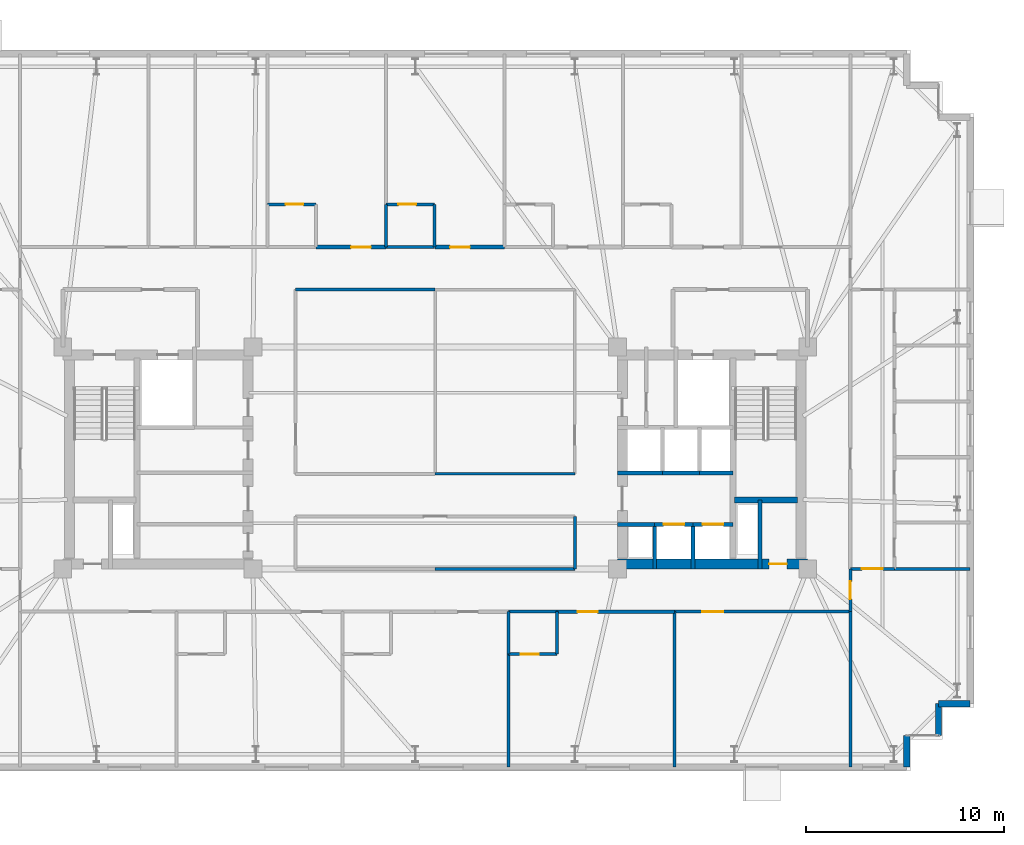
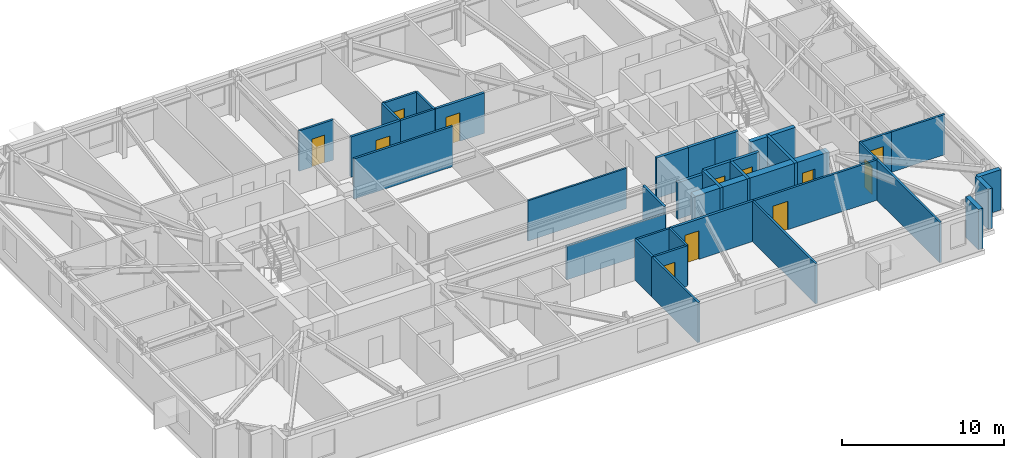
# One storey, part 13 of 18: 37 walls, 12 doors, 12 openings.
"""IFC4 building model written with IfcOpenShell, lengths in metres."""

from ifc_helpers import new_model, si_unit, direction, frame, frame_2d, origin, place, context, subcontext, project, spatial, rectangle, extrude, material, layer, layer_set, type_object, element, fill, save


model = new_model("IFC4")

# Units and contexts
model_context = context("Model", 3, precision=1e-05, world=origin(), true_north=direction((0.0, 1.0)))
body_context = subcontext(model_context, "Body", "Model", "MODEL_VIEW")
ifc_project = project(units=[si_unit("LENGTHUNIT", "METRE"), si_unit("AREAUNIT", "SQUARE_METRE"), si_unit("VOLUMEUNIT", "CUBIC_METRE"), si_unit("PLANEANGLEUNIT", "RADIAN"), si_unit("MASSUNIT", "GRAM", prefix="KILO")], contexts=[model_context])

# Site, building, storey
site_placement = place(None, origin())
site = spatial("IfcSite", under=ifc_project, at=site_placement, CompositionType="ELEMENT")
building_placement = place(site_placement, origin())
building = spatial("IfcBuilding", under=site, at=building_placement, Name="Qobustan Lattice House", CompositionType="ELEMENT")
storey_placement = place(building_placement, frame((0.0, 0.0, 141.050048828125)))
storey = spatial("IfcBuildingStorey", under=building, at=storey_placement, Name="L39", CompositionType="ELEMENT", Elevation=141.050048828125)

# Wall, opening, door
ifc_material_1 = material(Name="Concrete C50/60", Category="concrete")
ifc_layer_1 = layer(ifc_material_1, 0.5)
ifc_layer_set_1 = layer_set([ifc_layer_1], Name="Concrete C50/60")
wall_type_1 = type_object("IfcWallType", Name="WAL-CORE-500", PredefinedType="SHEAR", material=ifc_layer_set_1)
wall_1_placement = place(storey_placement, frame((9.199951171875, -5.35009765625, 0.0), z_axis=(0.0, 0.0, 1.0), x_axis=(1.0, 0.0, 0.0)))
wall_1 = element("IfcWall", 1, at=wall_1_placement, inside=storey, type_object=wall_type_1, Name="L39 split-core shear wall CE-S", PredefinedType="SHEAR", context=body_context, shape_type="SweptSolid", body=[
    extrude(rectangle(XDim=9.60009765625, YDim=0.5, at=frame_2d((4.800048828125, 0.0))), origin(), (0.0, 0.0, 1.0), 3.0400390625),
])
opening_1_placement = place(wall_1_placement, frame((7.64990234375, 0.0, 0.0)))
opening_1 = element("IfcOpeningElement", 2, at=opening_1_placement, cuts=wall_1, Name="Opening RD-01", PredefinedType="OPENING", context=body_context, shape_type="SweptSolid", body=[
    extrude(rectangle(XDim=0.89990234375, YDim=2.10009765625, at=frame_2d((0.449951171875, 1.050048828125))), frame((0.0, 0.260009765625, 0.0), z_axis=(0.0, -1.0, 0.0), x_axis=(1.0, 0.0, 0.0)), (0.0, 0.0, 1.0), 0.52001953125),
])
ifc_material_2 = material(Name="Persian walnut timber and steel frame door", Category="steel")
door_type_1 = type_object("IfcDoorType", Name="DOR-RISER-FD-900x2100", OperationType="NOTDEFINED", PredefinedType="DOOR", material=ifc_material_2)
door_1_placement = place(opening_1_placement, origin())
door_1 = element("IfcDoor", 3, at=door_1_placement, inside=storey, type_object=door_type_1, Name="L39 core service riser access door E", OperationType="SINGLE_SWING_LEFT", OverallHeight=2.10009765625, OverallWidth=0.89990234375, PredefinedType="DOOR", context=body_context, shape_type="SweptSolid", body=[
    extrude(rectangle(XDim=0.89990234375, YDim=2.10009765625, at=frame_2d((0.449951171875, 1.050048828125))), frame((0.0, 0.02490234375, 0.0), z_axis=(0.0, -1.0, 0.0), x_axis=(1.0, 0.0, 0.0)), (0.0, 0.0, 1.0), 0.050048828125),
])
fill(opening_1, door_1)

# Walls
ifc_material_3 = material(Name="Concrete C50/60", Category="concrete")
ifc_layer_2 = layer(ifc_material_3, 0.280029296875)
ifc_layer_set_2 = layer_set([ifc_layer_2], Name="Concrete C50/60")
wall_type_2 = type_object("IfcWallType", Name="WAL-CORE-SPINE-280", PredefinedType="SHEAR", material=ifc_layer_set_2)
wall_2_placement = place(storey_placement, frame((15.10009765625, -2.110107421875, 0.0), z_axis=(0.0, 0.0, 1.0), x_axis=(1.0, 0.0, 0.0)))
element("IfcWall", 4, at=wall_2_placement, inside=storey, type_object=wall_type_2, Name="L39 split-core shear wall CE-ST", PredefinedType="SHEAR", context=body_context, shape_type="SweptSolid", body=[
    extrude(rectangle(XDim=3.179931640625, YDim=0.300048828125, at=frame_2d((1.58984375, 0.0))), origin(), (0.0, 0.0, 1.0), 3.0400390625),
])
ifc_material_4 = material(Name="Precast concrete C40/50", Category="concrete")
ifc_layer_3 = layer(ifc_material_4, 0.320068359375)
ifc_layer_set_3 = layer_set([ifc_layer_3], Name="Precast concrete C40/50")
wall_type_3 = type_object("IfcWallType", Name="WAL-EXT-STONE-320", PredefinedType="SOLIDWALL", material=ifc_layer_set_3)
for number, where, z_axis, x_axis, name in (
    (5, (27.0, -12.39990234375, 0.0), (0.0, 0.0, 1.0), (-1.0, 0.0, 0.0), "L39 exterior limestone-clad wall 16"),
    (6, (25.39990234375, -12.39990234375, 0.0), (0.0, 0.0, 1.0), (0.0, -1.0, 0.0), "L39 exterior limestone-clad wall 17"),
    (7, (23.800048828125, -14.0, 0.0), (0.0, 0.0, 1.0), (0.0, -1.0, 0.0), "L39 exterior limestone-clad wall 19"),
):
    element("IfcWall", number, at=place(storey_placement, frame(where, z_axis=z_axis, x_axis=x_axis)), inside=storey, type_object=wall_type_3, Name=name, PredefinedType="SOLIDWALL", context=body_context, shape_type="SweptSolid", body=[
        extrude(rectangle(XDim=1.60009765625, YDim=0.320068359375, at=frame_2d((0.800048828125, 0.0))), origin(), (0.0, 0.0, 1.0), 3.0400390625),
    ])

# Wall, opening, door
ifc_material_5 = material(Name="Gypsum fireboard acoustic partition", Category="gypsum")
ifc_layer_4 = layer(ifc_material_5, 0.179931640625)
ifc_layer_set_4 = layer_set([ifc_layer_4], Name="Gypsum fireboard acoustic partition")
wall_type_4 = type_object("IfcWallType", Name="WAL-FIRE-180", PredefinedType="PARTITIONING", material=ifc_layer_set_4)
wall_3_placement = place(storey_placement, frame((-6.029052734375, 10.64990234375, 0.0), z_axis=(0.0, 0.0, 1.0), x_axis=(1.0, 0.0, 0.0)))
wall_3 = element("IfcWall", 8, at=wall_3_placement, inside=storey, type_object=wall_type_4, Name="L39 interior partition 35", PredefinedType="PARTITIONING", context=body_context, shape_type="SweptSolid", body=[
    extrude(rectangle(XDim=3.5361328125, YDim=0.179931640625, at=frame_2d((1.76806640625, 0.0))), origin(), (0.0, 0.0, 1.0), 3.0400390625),
])
opening_2_placement = place(wall_3_placement, frame((1.783935546875, 0.0, 0.0)))
opening_2 = element("IfcOpeningElement", 9, at=opening_2_placement, cuts=wall_3, Name="Opening FD-02", PredefinedType="OPENING", context=body_context, shape_type="SweptSolid", body=[
    extrude(rectangle(XDim=1.0, YDim=2.14990234375, at=frame_2d((0.5, 1.074951171875))), frame((0.0, 0.099853515625, 0.0), z_axis=(0.0, -1.0, 0.0), x_axis=(1.0, 0.0, 0.0)), (0.0, 0.0, 1.0), 0.199951171875),
])
ifc_material_6 = material(Name="Persian walnut timber and steel frame door", Category="steel")
door_type_2 = type_object("IfcDoorType", Name="DOR-UNIT-FD-1000x2150", OperationType="NOTDEFINED", PredefinedType="DOOR", material=ifc_material_6)
door_2_placement = place(opening_2_placement, origin())
door_2 = element("IfcDoor", 10, at=door_2_placement, inside=storey, type_object=door_type_2, Name="L39 North-west floor corridor to Kitchenette and studio apartment L39-N3 door", OperationType="SINGLE_SWING_LEFT", OverallHeight=2.14990234375, OverallWidth=1.0, PredefinedType="DOOR", context=body_context, shape_type="SweptSolid", body=[
    extrude(rectangle(XDim=1.0, YDim=2.14990234375, at=frame_2d((0.5, 1.074951171875))), frame((0.0, 0.02490234375, 0.0), z_axis=(0.0, -1.0, 0.0), x_axis=(1.0, 0.0, 0.0)), (0.0, 0.0, 1.0), 0.050048828125),
])
fill(opening_2, door_2)

wall_4_placement = place(storey_placement, frame((0.0, 10.64990234375, 0.0), z_axis=(0.0, 0.0, 1.0), x_axis=(1.0, 0.0, 0.0)))
wall_4 = element("IfcWall", 11, at=wall_4_placement, inside=storey, type_object=wall_type_4, Name="L39 interior partition 40", PredefinedType="PARTITIONING", context=body_context, shape_type="SweptSolid", body=[
    extrude(rectangle(XDim=3.492919921875, YDim=0.179931640625, at=frame_2d((1.74658203125, 0.0))), origin(), (0.0, 0.0, 1.0), 3.0400390625),
])
opening_3_placement = place(wall_4_placement, frame((0.74658203125, 0.0, 0.0)))
opening_3 = element("IfcOpeningElement", 12, at=opening_3_placement, cuts=wall_4, Name="Opening FD-02", PredefinedType="OPENING", context=body_context, shape_type="SweptSolid", body=[
    extrude(rectangle(XDim=1.0, YDim=2.14990234375, at=frame_2d((0.5, 1.074951171875))), frame((0.0, 0.099853515625, 0.0), z_axis=(0.0, -1.0, 0.0), x_axis=(1.0, 0.0, 0.0)), (0.0, 0.0, 1.0), 0.199951171875),
])
door_3_placement = place(opening_3_placement, origin())
door_3 = element("IfcDoor", 13, at=door_3_placement, inside=storey, type_object=door_type_2, Name="L39 North-east floor corridor to Kitchenette and studio apartment L39-N4 door", OperationType="SINGLE_SWING_LEFT", OverallHeight=2.14990234375, OverallWidth=1.0, PredefinedType="DOOR", context=body_context, shape_type="SweptSolid", body=[
    extrude(rectangle(XDim=1.0, YDim=2.14990234375, at=frame_2d((0.5, 1.074951171875))), frame((0.0, 0.02490234375, 0.0), z_axis=(0.0, -1.0, 0.0), x_axis=(1.0, 0.0, 0.0)), (0.0, 0.0, 1.0), 0.050048828125),
])
fill(opening_3, door_3)

wall_5_placement = place(storey_placement, frame((12.070068359375, -7.75, 0.0), z_axis=(0.0, 0.0, 1.0), x_axis=(-1.0, 0.0, 0.0)))
wall_5 = element("IfcWall", 14, at=wall_5_placement, inside=storey, type_object=wall_type_4, Name="L39 interior partition 56", PredefinedType="PARTITIONING", context=body_context, shape_type="SweptSolid", body=[
    extrude(rectangle(XDim=5.93017578125, YDim=0.179931640625, at=frame_2d((2.965087890625, 0.0))), origin(), (0.0, 0.0, 1.0), 3.0400390625),
])
opening_4_placement = place(wall_5_placement, frame((3.87890625, 0.0, 0.0)))
opening_4 = element("IfcOpeningElement", 15, at=opening_4_placement, cuts=wall_5, Name="Opening FD-02", PredefinedType="OPENING", context=body_context, shape_type="SweptSolid", body=[
    extrude(rectangle(XDim=1.0, YDim=2.14990234375, at=frame_2d((0.5, 1.074951171875))), frame((0.0, 0.099853515625, 0.0), z_axis=(0.0, -1.0, 0.0), x_axis=(1.0, 0.0, 0.0)), (0.0, 0.0, 1.0), 0.199951171875),
])
door_4_placement = place(opening_4_placement, origin())
door_4 = element("IfcDoor", 16, at=door_4_placement, inside=storey, type_object=door_type_2, Name="L39 South-east floor corridor to Kitchenette and studio apartment L39-S4 door", OperationType="SINGLE_SWING_RIGHT", OverallHeight=2.14990234375, OverallWidth=1.0, PredefinedType="DOOR", context=body_context, shape_type="SweptSolid", body=[
    extrude(rectangle(XDim=1.0, YDim=2.14990234375, at=frame_2d((0.5, 1.074951171875))), frame((0.0, 0.02490234375, 0.0), z_axis=(0.0, -1.0, 0.0), x_axis=(1.0, 0.0, 0.0)), (0.0, 0.0, 1.0), 0.050048828125),
])
fill(opening_4, door_4)

# Walls
ifc_material_7 = material(Name="Lightweight acoustic stud partition", Category="gypsum")
ifc_layer_5 = layer(ifc_material_7, 0.125)
ifc_layer_set_5 = layer_set([ifc_layer_5], Name="Lightweight acoustic stud partition")
wall_type_5 = type_object("IfcWallType", Name="WAL-PART-125", PredefinedType="PARTITIONING", material=ifc_layer_set_5)
wall_6_placement = place(storey_placement, frame((0.0, -0.800048828125, 0.0), z_axis=(0.0, 0.0, 1.0), x_axis=(1.0, 0.0, 0.0)))
element("IfcWall", 17, at=wall_6_placement, inside=storey, type_object=wall_type_5, Name="L39 interior partition 63", PredefinedType="PARTITIONING", context=body_context, shape_type="SweptSolid", body=[
    extrude(rectangle(XDim=7.050048828125, YDim=0.125, at=frame_2d((3.52490234375, 0.0))), origin(), (0.0, 0.0, 1.0), 3.0400390625),
])
ifc_material_8 = material(Name="Acoustic twin-stud gypsum partition", Category="gypsum")
ifc_layer_6 = layer(ifc_material_8, 0.14990234375)
ifc_layer_set_6 = layer_set([ifc_layer_6], Name="Acoustic twin-stud gypsum partition")
wall_type_6 = type_object("IfcWallType", Name="WAL-PART-150", PredefinedType="PARTITIONING", material=ifc_layer_set_6)
wall_7_placement = place(storey_placement, frame((0.0, 8.5, 0.0), z_axis=(0.0, 0.0, 1.0), x_axis=(-1.0, 0.0, 0.0)))
element("IfcWall", 18, at=wall_7_placement, inside=storey, type_object=wall_type_6, Name="L39 interior partition 38", PredefinedType="PARTITIONING", context=body_context, shape_type="SweptSolid", body=[
    extrude(rectangle(XDim=7.050048828125, YDim=0.14990234375, at=frame_2d((3.52490234375, 0.0))), origin(), (0.0, 0.0, 1.0), 3.0400390625),
])

# Wall, opening, door
wall_8_placement = place(storey_placement, frame((20.949951171875, -5.60009765625, 0.0), z_axis=(0.0, 0.0, 1.0), x_axis=(0.0, -1.0, 0.0)))
wall_8 = element("IfcWall", 19, at=wall_8_placement, inside=storey, type_object=wall_type_6, Name="L39 interior partition 54", PredefinedType="PARTITIONING", context=body_context, shape_type="SweptSolid", body=[
    extrude(rectangle(XDim=2.14990234375, YDim=0.14990234375, at=frame_2d((1.074951171875, 0.0))), origin(), (0.0, 0.0, 1.0), 3.0400390625),
])
opening_5_placement = place(wall_8_placement, frame((0.625, 0.0, 0.0)))
opening_5 = element("IfcOpeningElement", 20, at=opening_5_placement, cuts=wall_8, Name="Opening WD-01", PredefinedType="OPENING", context=body_context, shape_type="SweptSolid", body=[
    extrude(rectangle(XDim=0.89990234375, YDim=2.10009765625, at=frame_2d((0.449951171875, 1.050048828125))), frame((0.0, 0.0849609375, 0.0), z_axis=(0.0, -1.0, 0.0), x_axis=(1.0, 0.0, 0.0)), (0.0, 0.0, 1.0), 0.169921875),
])
ifc_material_9 = material(Name="Persian walnut timber and steel frame door", Category="steel")
door_type_3 = type_object("IfcDoorType", Name="DOR-WET-900x2100", OperationType="NOTDEFINED", PredefinedType="DOOR", material=ifc_material_9)
door_5_placement = place(opening_5_placement, origin())
door_5 = element("IfcDoor", 21, at=door_5_placement, inside=storey, type_object=door_type_3, Name="L39 South-east floor corridor to Reading study room L39ES door", OperationType="SINGLE_SWING_RIGHT", OverallHeight=2.10009765625, OverallWidth=0.89990234375, PredefinedType="DOOR", context=body_context, shape_type="SweptSolid", body=[
    extrude(rectangle(XDim=0.89990234375, YDim=2.10009765625, at=frame_2d((0.449951171875, 1.050048828125))), frame((0.0, 0.02490234375, 0.0), z_axis=(0.0, -1.0, 0.0), x_axis=(1.0, 0.0, 0.0)), (0.0, 0.0, 1.0), 0.050048828125),
])
fill(opening_5, door_5)

wall_9_placement = place(storey_placement, frame((20.949951171875, -7.75, 0.0), z_axis=(0.0, 0.0, 1.0), x_axis=(-1.0, 0.0, 0.0)))
wall_9 = element("IfcWall", 22, at=wall_9_placement, inside=storey, type_object=wall_type_6, Name="L39 interior partition 58", PredefinedType="PARTITIONING", context=body_context, shape_type="SweptSolid", body=[
    extrude(rectangle(XDim=8.8798828125, YDim=0.14990234375, at=frame_2d((4.43994140625, 0.0))), origin(), (0.0, 0.0, 1.0), 3.0400390625),
])
opening_6_placement = place(wall_9_placement, frame((6.416259765625, 0.0, 0.0)))
opening_6 = element("IfcOpeningElement", 23, at=opening_6_placement, cuts=wall_9, Name="Opening ID-02", PredefinedType="OPENING", context=body_context, shape_type="SweptSolid", body=[
    extrude(rectangle(XDim=1.050048828125, YDim=2.14990234375, at=frame_2d((0.52490234375, 1.074951171875))), frame((0.0, 0.0849609375, 0.0), z_axis=(0.0, -1.0, 0.0), x_axis=(1.0, 0.0, 0.0)), (0.0, 0.0, 1.0), 0.169921875),
])
ifc_material_10 = material(Name="Persian walnut timber and steel frame door", Category="steel")
door_type_4 = type_object("IfcDoorType", Name="DOR-STUDY-1050x2150", OperationType="NOTDEFINED", PredefinedType="DOOR", material=ifc_material_10)
door_6_placement = place(opening_6_placement, origin())
door_6 = element("IfcDoor", 24, at=door_6_placement, inside=storey, type_object=door_type_4, Name="L39 South-east floor corridor to Group study room door", OperationType="SINGLE_SWING_LEFT", OverallHeight=2.14990234375, OverallWidth=1.050048828125, PredefinedType="DOOR", context=body_context, shape_type="SweptSolid", body=[
    extrude(rectangle(XDim=1.050048828125, YDim=2.14990234375, at=frame_2d((0.52490234375, 1.074951171875))), frame((0.0, 0.02490234375, 0.0), z_axis=(0.0, -1.0, 0.0), x_axis=(1.0, 0.0, 0.0)), (0.0, 0.0, 1.0), 0.050048828125),
])
fill(opening_6, door_6)

wall_10_placement = place(storey_placement, frame((23.179931640625, -5.60009765625, 0.0), z_axis=(0.0, 0.0, 1.0), x_axis=(-1.0, 0.0, 0.0)))
wall_10 = element("IfcWall", 25, at=wall_10_placement, inside=storey, type_object=wall_type_6, Name="L39 interior partition 87", PredefinedType="PARTITIONING", context=body_context, shape_type="SweptSolid", body=[
    extrude(rectangle(XDim=2.22998046875, YDim=0.14990234375, at=frame_2d((1.114990234375, 0.0))), origin(), (0.0, 0.0, 1.0), 3.0400390625),
])
opening_7_placement = place(wall_10_placement, frame((0.590087890625, 0.0, 0.0)))
opening_7 = element("IfcOpeningElement", 26, at=opening_7_placement, cuts=wall_10, Name="Opening ID-02", PredefinedType="OPENING", context=body_context, shape_type="SweptSolid", body=[
    extrude(rectangle(XDim=1.050048828125, YDim=2.14990234375, at=frame_2d((0.52490234375, 1.074951171875))), frame((0.0, 0.0849609375, 0.0), z_axis=(0.0, -1.0, 0.0), x_axis=(1.0, 0.0, 0.0)), (0.0, 0.0, 1.0), 0.169921875),
])
door_7_placement = place(opening_7_placement, origin())
door_7 = element("IfcDoor", 27, at=door_7_placement, inside=storey, type_object=door_type_4, Name="L39 Residence entrance hall L39E to Reading study room L39ES door", OperationType="SINGLE_SWING_RIGHT", OverallHeight=2.14990234375, OverallWidth=1.050048828125, PredefinedType="DOOR", context=body_context, shape_type="SweptSolid", body=[
    extrude(rectangle(XDim=1.050048828125, YDim=2.14990234375, at=frame_2d((0.52490234375, 1.074951171875))), frame((0.0, 0.02490234375, 0.0), z_axis=(0.0, -1.0, 0.0), x_axis=(1.0, 0.0, 0.0)), (0.0, 0.0, 1.0), 0.050048828125),
])
fill(opening_7, door_7)

# Walls
wall_11_placement = place(storey_placement, frame((20.949951171875, -15.60009765625, 0.0), z_axis=(0.0, 0.0, 1.0), x_axis=(0.0, 1.0, 0.0)))
element("IfcWall", 28, at=wall_11_placement, inside=storey, type_object=wall_type_6, Name="L39 interior partition 96", PredefinedType="PARTITIONING", context=body_context, shape_type="SweptSolid", body=[
    extrude(rectangle(XDim=7.85009765625, YDim=0.14990234375, at=frame_2d((3.925048828125, 0.0))), origin(), (0.0, 0.0, 1.0), 3.0400390625),
])
wall_12_placement = place(storey_placement, frame((3.68994140625, -9.89990234375, 0.0), z_axis=(0.0, 0.0, 1.0), x_axis=(0.0, -1.0, 0.0)))
element("IfcWall", 29, at=wall_12_placement, inside=storey, type_object=wall_type_6, Name="L39 interior partition 128", PredefinedType="PARTITIONING", context=body_context, shape_type="SweptSolid", body=[
    extrude(rectangle(XDim=5.7001953125, YDim=0.14990234375, at=frame_2d((2.85009765625, 0.0))), origin(), (0.0, 0.0, 1.0), 3.0400390625),
])
wall_13_placement = place(storey_placement, frame((12.070068359375, -7.75, 0.0), z_axis=(0.0, 0.0, 1.0), x_axis=(0.0, -1.0, 0.0)))
element("IfcWall", 30, at=wall_13_placement, inside=storey, type_object=wall_type_6, Name="L39 interior partition 132", PredefinedType="PARTITIONING", context=body_context, shape_type="SweptSolid", body=[
    extrude(rectangle(XDim=7.85009765625, YDim=0.14990234375, at=frame_2d((3.925048828125, 0.0))), origin(), (0.0, 0.0, 1.0), 3.0400390625),
])
ifc_material_11 = material(Name="High-mass acoustic twin-stud partition", Category="gypsum")
ifc_layer_7 = layer(ifc_material_11, 0.1650390625)
ifc_layer_set_7 = layer_set([ifc_layer_7], Name="High-mass acoustic twin-stud partition")
wall_type_7 = type_object("IfcWallType", Name="WAL-PART-165", PredefinedType="PARTITIONING", material=ifc_layer_set_7)
wall_14_placement = place(storey_placement, frame((0.0, -5.60009765625, 0.0), z_axis=(0.0, 0.0, 1.0), x_axis=(1.0, 0.0, 0.0)))
element("IfcWall", 31, at=wall_14_placement, inside=storey, type_object=wall_type_7, Name="L39 interior partition 59", PredefinedType="PARTITIONING", context=body_context, shape_type="SweptSolid", body=[
    extrude(rectangle(XDim=7.050048828125, YDim=0.1650390625, at=frame_2d((3.52490234375, 0.0))), origin(), (0.0, 0.0, 1.0), 2.52490234375),
])
wall_15_placement = place(storey_placement, frame((7.050048828125, -5.60009765625, 0.0), z_axis=(0.0, 0.0, 1.0), x_axis=(0.0, 1.0, 0.0)))
element("IfcWall", 32, at=wall_15_placement, inside=storey, type_object=wall_type_7, Name="L39 interior partition 68", PredefinedType="PARTITIONING", context=body_context, shape_type="SweptSolid", body=[
    extrude(rectangle(XDim=2.650146484375, YDim=0.1650390625, at=frame_2d((1.3251953125, 0.0))), origin(), (0.0, 0.0, 1.0), 3.0400390625),
])
ifc_material_12 = material(Name="Concrete C40/50", Category="concrete")
ifc_layer_8 = layer(ifc_material_12, 0.199951171875)
ifc_layer_set_8 = layer_set([ifc_layer_8], Name="Concrete C40/50")
wall_type_8 = type_object("IfcWallType", Name="WAL-SHAFT-200", PredefinedType="PARTITIONING", material=ifc_layer_set_8)
wall_16_placement = place(storey_placement, frame((16.39990234375, -2.110107421875, 0.0), z_axis=(0.0, 0.0, 1.0), x_axis=(0.0, -1.0, 0.0)))
element("IfcWall", 33, at=wall_16_placement, inside=storey, type_object=wall_type_8, Name="L39 interior partition 13", PredefinedType="PARTITIONING", context=body_context, shape_type="SweptSolid", body=[
    extrude(rectangle(XDim=3.489990234375, YDim=0.199951171875, at=frame_2d((1.7451171875, 0.0))), origin(), (0.0, 0.0, 1.0), 3.0400390625),
])
wall_17_placement = place(storey_placement, frame((9.199951171875, -3.35009765625, 0.0), z_axis=(0.0, 0.0, 1.0), x_axis=(1.0, 0.0, 0.0)))
element("IfcWall", 34, at=wall_17_placement, inside=storey, type_object=wall_type_8, Name="L39 interior partition 20", PredefinedType="PARTITIONING", context=body_context, shape_type="SweptSolid", body=[
    extrude(rectangle(XDim=1.880126953125, YDim=0.199951171875, at=frame_2d((0.93994140625, 0.0))), origin(), (0.0, 0.0, 1.0), 2.7548828125),
])

# Wall, opening, door
wall_18_placement = place(storey_placement, frame((11.080078125, -3.35009765625, 0.0), z_axis=(0.0, 0.0, 1.0), x_axis=(1.0, 0.0, 0.0)))
wall_18 = element("IfcWall", 35, at=wall_18_placement, inside=storey, type_object=wall_type_8, Name="L39 interior partition 21", PredefinedType="PARTITIONING", context=body_context, shape_type="SweptSolid", body=[
    extrude(rectangle(XDim=1.93994140625, YDim=0.199951171875, at=frame_2d((0.969970703125, 0.0))), origin(), (0.0, 0.0, 1.0), 3.0400390625),
])
opening_8_placement = place(wall_18_placement, frame((0.445068359375, 0.0, 0.0)))
opening_8 = element("IfcOpeningElement", 36, at=opening_8_placement, cuts=wall_18, Name="Opening LD-01", PredefinedType="OPENING", context=body_context, shape_type="SweptSolid", body=[
    extrude(rectangle(XDim=1.050048828125, YDim=2.10009765625, at=frame_2d((0.52490234375, 1.050048828125))), frame((0.0, 0.10986328125, 0.0), z_axis=(0.0, -1.0, 0.0), x_axis=(1.0, 0.0, 0.0)), (0.0, 0.0, 1.0), 0.219970703125),
])
ifc_material_13 = material(Name="Persian walnut timber and steel frame door", Category="steel")
door_type_5 = type_object("IfcDoorType", Name="DOR-LIFT-LD-1050x2100", OperationType="NOTDEFINED", PredefinedType="DOOR", material=ifc_material_13)
door_8_placement = place(opening_8_placement, origin())
door_8 = element("IfcDoor", 37, at=door_8_placement, inside=storey, type_object=door_type_5, Name="L39 lift landing door", OperationType="DOUBLE_DOOR_SLIDING", OverallHeight=2.10009765625, OverallWidth=1.050048828125, PredefinedType="DOOR", context=body_context, shape_type="SweptSolid", body=[
    extrude(rectangle(XDim=1.050048828125, YDim=2.10009765625, at=frame_2d((0.52490234375, 1.050048828125))), frame((0.0, 0.02490234375, 0.0), z_axis=(0.0, -1.0, 0.0), x_axis=(1.0, 0.0, 0.0)), (0.0, 0.0, 1.0), 0.050048828125),
])
fill(opening_8, door_8)

wall_19_placement = place(storey_placement, frame((13.02001953125, -3.35009765625, 0.0), z_axis=(0.0, 0.0, 1.0), x_axis=(1.0, 0.0, 0.0)))
wall_19 = element("IfcWall", 38, at=wall_19_placement, inside=storey, type_object=wall_type_8, Name="L39 interior partition 22", PredefinedType="PARTITIONING", context=body_context, shape_type="SweptSolid", body=[
    extrude(rectangle(XDim=2.0, YDim=0.199951171875, at=frame_2d((1.0, 0.0))), origin(), (0.0, 0.0, 1.0), 3.0400390625),
])
opening_9_placement = place(wall_19_placement, frame((0.47509765625, 0.0, 0.0)))
opening_9 = element("IfcOpeningElement", 39, at=opening_9_placement, cuts=wall_19, Name="Opening LD-01", PredefinedType="OPENING", context=body_context, shape_type="SweptSolid", body=[
    extrude(rectangle(XDim=1.050048828125, YDim=2.10009765625, at=frame_2d((0.52490234375, 1.050048828125))), frame((0.0, 0.10986328125, 0.0), z_axis=(0.0, -1.0, 0.0), x_axis=(1.0, 0.0, 0.0)), (0.0, 0.0, 1.0), 0.219970703125),
])
door_9_placement = place(opening_9_placement, origin())
door_9 = element("IfcDoor", 40, at=door_9_placement, inside=storey, type_object=door_type_5, Name="L39 lift landing door", OperationType="DOUBLE_DOOR_SLIDING", OverallHeight=2.10009765625, OverallWidth=1.050048828125, PredefinedType="DOOR", context=body_context, shape_type="SweptSolid", body=[
    extrude(rectangle(XDim=1.050048828125, YDim=2.10009765625, at=frame_2d((0.52490234375, 1.050048828125))), frame((0.0, 0.02490234375, 0.0), z_axis=(0.0, -1.0, 0.0), x_axis=(1.0, 0.0, 0.0)), (0.0, 0.0, 1.0), 0.050048828125),
])
fill(opening_9, door_9)

# Walls
wall_20_placement = place(storey_placement, frame((11.4599609375, -0.75, 0.0), z_axis=(0.0, 0.0, 1.0), x_axis=(-1.0, 0.0, 0.0)))
element("IfcWall", 41, at=wall_20_placement, inside=storey, type_object=wall_type_8, Name="L39 interior partition 23", PredefinedType="PARTITIONING", context=body_context, shape_type="SweptSolid", body=[
    extrude(rectangle(XDim=2.260009765625, YDim=0.199951171875, at=frame_2d((1.1298828125, 0.0))), origin(), (0.0, 0.0, 1.0), 3.0400390625),
])
wall_21_placement = place(storey_placement, frame((13.340087890625, -0.75, 0.0), z_axis=(0.0, 0.0, 1.0), x_axis=(-1.0, 0.0, 0.0)))
element("IfcWall", 42, at=wall_21_placement, inside=storey, type_object=wall_type_8, Name="L39 interior partition 24", PredefinedType="PARTITIONING", context=body_context, shape_type="SweptSolid", body=[
    extrude(rectangle(XDim=1.880126953125, YDim=0.199951171875, at=frame_2d((0.93994140625, 0.0))), origin(), (0.0, 0.0, 1.0), 3.0400390625),
])
wall_22_placement = place(storey_placement, frame((15.02001953125, -0.75, 0.0), z_axis=(0.0, 0.0, 1.0), x_axis=(-1.0, 0.0, 0.0)))
element("IfcWall", 43, at=wall_22_placement, inside=storey, type_object=wall_type_8, Name="L39 interior partition 25", PredefinedType="PARTITIONING", context=body_context, shape_type="SweptSolid", body=[
    extrude(rectangle(XDim=1.679931640625, YDim=0.199951171875, at=frame_2d((0.83984375, 0.0))), origin(), (0.0, 0.0, 1.0), 3.0400390625),
])
for number, where, z_axis, x_axis, name in (
    (44, (11.080078125, -5.60009765625, 0.0), (0.0, 0.0, 1.0), (0.0, 1.0, 0.0), "L39 interior partition 27"),
    (45, (13.02001953125, -5.60009765625, 0.0), (0.0, 0.0, 1.0), (0.0, 1.0, 0.0), "L39 interior partition 28"),
):
    element("IfcWall", number, at=place(storey_placement, frame(where, z_axis=z_axis, x_axis=x_axis)), inside=storey, type_object=wall_type_8, Name=name, PredefinedType="PARTITIONING", context=body_context, shape_type="SweptSolid", body=[
        extrude(rectangle(XDim=2.25, YDim=0.199951171875, at=frame_2d((1.125, 0.0))), origin(), (0.0, 0.0, 1.0), 3.0400390625),
    ])
ifc_material_14 = material(Name="Moisture-resistant acoustic plumbing wall", Category="gypsum")
ifc_layer_9 = layer(ifc_material_14, 0.14990234375)
ifc_layer_set_9 = layer_set([ifc_layer_9], Name="Moisture-resistant acoustic plumbing wall")
wall_type_9 = type_object("IfcWallType", Name="WAL-WET-150", PredefinedType="PLUMBINGWALL", material=ifc_layer_set_9)
for number, where, z_axis, x_axis, name in (
    (46, (-2.492919921875, 10.64990234375, 0.0), (0.0, 0.0, 1.0), (1.0, 0.0, 0.0), "L39 interior partition 37"),
    (47, (6.139892578125, -7.75, 0.0), (0.0, 0.0, 1.0), (-1.0, 0.0, 0.0), "L39 interior partition 57"),
):
    element("IfcWall", number, at=place(storey_placement, frame(where, z_axis=z_axis, x_axis=x_axis)), inside=storey, type_object=wall_type_9, Name=name, PredefinedType="PLUMBINGWALL", context=body_context, shape_type="SweptSolid", body=[
        extrude(rectangle(XDim=2.449951171875, YDim=0.14990234375, at=frame_2d((1.22509765625, 0.0))), origin(), (0.0, 0.0, 1.0), 3.0400390625),
    ])
wall_23_placement = place(storey_placement, frame((23.179931640625, -5.60009765625, 0.0), z_axis=(0.0, 0.0, 1.0), x_axis=(1.0, 0.0, 0.0)))
element("IfcWall", 48, at=wall_23_placement, inside=storey, type_object=wall_type_9, Name="L39 interior partition 95", PredefinedType="PLUMBINGWALL", context=body_context, shape_type="SweptSolid", body=[
    extrude(rectangle(XDim=3.820068359375, YDim=0.14990234375, at=frame_2d((1.91015625, 0.0))), origin(), (0.0, 0.0, 1.0), 3.0400390625),
])

# Wall, opening, door
wall_24_placement = place(storey_placement, frame((-6.029052734375, 12.800048828125, 0.0), z_axis=(0.0, 0.0, 1.0), x_axis=(-1.0, 0.0, 0.0)))
wall_24 = element("IfcWall", 49, at=wall_24_placement, inside=storey, type_object=wall_type_9, Name="L39 interior partition 105", PredefinedType="PLUMBINGWALL", context=body_context, shape_type="SweptSolid", body=[
    extrude(rectangle(XDim=2.449951171875, YDim=0.14990234375, at=frame_2d((1.22509765625, 0.0))), origin(), (0.0, 0.0, 1.0), 3.0400390625),
])
opening_10_placement = place(wall_24_placement, frame((0.628662109375, 0.0, 0.0)))
opening_10 = element("IfcOpeningElement", 50, at=opening_10_placement, cuts=wall_24, Name="Opening WD-01", PredefinedType="OPENING", context=body_context, shape_type="SweptSolid", body=[
    extrude(rectangle(XDim=0.89990234375, YDim=2.10009765625, at=frame_2d((0.449951171875, 1.050048828125))), frame((0.0, 0.0849609375, 0.0), z_axis=(0.0, -1.0, 0.0), x_axis=(1.0, 0.0, 0.0)), (0.0, 0.0, 1.0), 0.169921875),
])
door_10_placement = place(opening_10_placement, origin())
door_10 = element("IfcDoor", 51, at=door_10_placement, inside=storey, type_object=door_type_3, Name="L39 Kitchenette and studio apartment L39-N3 to En-suite bathroom L39-N3 door", OperationType="SINGLE_SWING_RIGHT", OverallHeight=2.10009765625, OverallWidth=0.89990234375, PredefinedType="DOOR", context=body_context, shape_type="SweptSolid", body=[
    extrude(rectangle(XDim=0.89990234375, YDim=2.10009765625, at=frame_2d((0.449951171875, 1.050048828125))), frame((0.0, 0.02490234375, 0.0), z_axis=(0.0, -1.0, 0.0), x_axis=(1.0, 0.0, 0.0)), (0.0, 0.0, 1.0), 0.050048828125),
])
fill(opening_10, door_10)

# Wall
wall_25_placement = place(storey_placement, frame((-2.492919921875, 12.800048828125, 0.0), z_axis=(0.0, 0.0, 1.0), x_axis=(0.0, -1.0, 0.0)))
element("IfcWall", 52, at=wall_25_placement, inside=storey, type_object=wall_type_9, Name="L39 interior partition 108", PredefinedType="PLUMBINGWALL", context=body_context, shape_type="SweptSolid", body=[
    extrude(rectangle(XDim=2.150146484375, YDim=0.14990234375, at=frame_2d((1.0751953125, 0.0))), origin(), (0.0, 0.0, 1.0), 3.0400390625),
])

# Wall, opening, door
wall_26_placement = place(storey_placement, frame((-0.04296875, 12.800048828125, 0.0), z_axis=(0.0, 0.0, 1.0), x_axis=(-1.0, 0.0, 0.0)))
wall_26 = element("IfcWall", 53, at=wall_26_placement, inside=storey, type_object=wall_type_9, Name="L39 interior partition 109", PredefinedType="PLUMBINGWALL", context=body_context, shape_type="SweptSolid", body=[
    extrude(rectangle(XDim=2.449951171875, YDim=0.14990234375, at=frame_2d((1.22509765625, 0.0))), origin(), (0.0, 0.0, 1.0), 3.0400390625),
])
opening_11_placement = place(wall_26_placement, frame((0.921142578125, 0.0, 0.0)))
opening_11 = element("IfcOpeningElement", 54, at=opening_11_placement, cuts=wall_26, Name="Opening WD-01", PredefinedType="OPENING", context=body_context, shape_type="SweptSolid", body=[
    extrude(rectangle(XDim=0.89990234375, YDim=2.10009765625, at=frame_2d((0.449951171875, 1.050048828125))), frame((0.0, 0.0849609375, 0.0), z_axis=(0.0, -1.0, 0.0), x_axis=(1.0, 0.0, 0.0)), (0.0, 0.0, 1.0), 0.169921875),
])
door_11_placement = place(opening_11_placement, origin())
door_11 = element("IfcDoor", 55, at=door_11_placement, inside=storey, type_object=door_type_3, Name="L39 Kitchenette and studio apartment L39-N4 to En-suite bathroom L39-N4 door", OperationType="SINGLE_SWING_LEFT", OverallHeight=2.10009765625, OverallWidth=0.89990234375, PredefinedType="DOOR", context=body_context, shape_type="SweptSolid", body=[
    extrude(rectangle(XDim=0.89990234375, YDim=2.10009765625, at=frame_2d((0.449951171875, 1.050048828125))), frame((0.0, 0.02490234375, 0.0), z_axis=(0.0, -1.0, 0.0), x_axis=(1.0, 0.0, 0.0)), (0.0, 0.0, 1.0), 0.050048828125),
])
fill(opening_11, door_11)

# Walls
wall_27_placement = place(storey_placement, frame((-0.04296875, 10.64990234375, 0.0), z_axis=(0.0, 0.0, 1.0), x_axis=(0.0, 1.0, 0.0)))
element("IfcWall", 56, at=wall_27_placement, inside=storey, type_object=wall_type_9, Name="L39 interior partition 110", PredefinedType="PLUMBINGWALL", context=body_context, shape_type="SweptSolid", body=[
    extrude(rectangle(XDim=2.150146484375, YDim=0.14990234375, at=frame_2d((1.0751953125, 0.0))), origin(), (0.0, 0.0, 1.0), 3.0400390625),
])
wall_28_placement = place(storey_placement, frame((3.68994140625, -7.75, 0.0), z_axis=(0.0, 0.0, 1.0), x_axis=(0.0, -1.0, 0.0)))
element("IfcWall", 57, at=wall_28_placement, inside=storey, type_object=wall_type_9, Name="L39 interior partition 129", PredefinedType="PLUMBINGWALL", context=body_context, shape_type="SweptSolid", body=[
    extrude(rectangle(XDim=2.14990234375, YDim=0.14990234375, at=frame_2d((1.074951171875, 0.0))), origin(), (0.0, 0.0, 1.0), 3.0400390625),
])

# Wall, opening, door
wall_29_placement = place(storey_placement, frame((3.68994140625, -9.89990234375, 0.0), z_axis=(0.0, 0.0, 1.0), x_axis=(1.0, 0.0, 0.0)))
wall_29 = element("IfcWall", 58, at=wall_29_placement, inside=storey, type_object=wall_type_9, Name="L39 interior partition 130", PredefinedType="PLUMBINGWALL", context=body_context, shape_type="SweptSolid", body=[
    extrude(rectangle(XDim=2.449951171875, YDim=0.14990234375, at=frame_2d((1.22509765625, 0.0))), origin(), (0.0, 0.0, 1.0), 3.0400390625),
])
opening_12_placement = place(wall_29_placement, frame((0.628662109375, 0.0, 0.0)))
opening_12 = element("IfcOpeningElement", 59, at=opening_12_placement, cuts=wall_29, Name="Opening WD-01", PredefinedType="OPENING", context=body_context, shape_type="SweptSolid", body=[
    extrude(rectangle(XDim=0.89990234375, YDim=2.10009765625, at=frame_2d((0.449951171875, 1.050048828125))), frame((0.0, 0.0849609375, 0.0), z_axis=(0.0, -1.0, 0.0), x_axis=(1.0, 0.0, 0.0)), (0.0, 0.0, 1.0), 0.169921875),
])
door_12_placement = place(opening_12_placement, origin())
door_12 = element("IfcDoor", 60, at=door_12_placement, inside=storey, type_object=door_type_3, Name="L39 Kitchenette and studio apartment L39-S4 to En-suite bathroom L39-S4 door", OperationType="SINGLE_SWING_RIGHT", OverallHeight=2.10009765625, OverallWidth=0.89990234375, PredefinedType="DOOR", context=body_context, shape_type="SweptSolid", body=[
    extrude(rectangle(XDim=0.89990234375, YDim=2.10009765625, at=frame_2d((0.449951171875, 1.050048828125))), frame((0.0, 0.02490234375, 0.0), z_axis=(0.0, -1.0, 0.0), x_axis=(1.0, 0.0, 0.0)), (0.0, 0.0, 1.0), 0.050048828125),
])
fill(opening_12, door_12)

# Wall
wall_30_placement = place(storey_placement, frame((6.139892578125, -9.89990234375, 0.0), z_axis=(0.0, 0.0, 1.0), x_axis=(0.0, 1.0, 0.0)))
element("IfcWall", 61, at=wall_30_placement, inside=storey, type_object=wall_type_9, Name="L39 interior partition 131", PredefinedType="PLUMBINGWALL", context=body_context, shape_type="SweptSolid", body=[
    extrude(rectangle(XDim=2.14990234375, YDim=0.14990234375, at=frame_2d((1.074951171875, 0.0))), origin(), (0.0, 0.0, 1.0), 3.0400390625),
])

save(model, "model.ifc")
